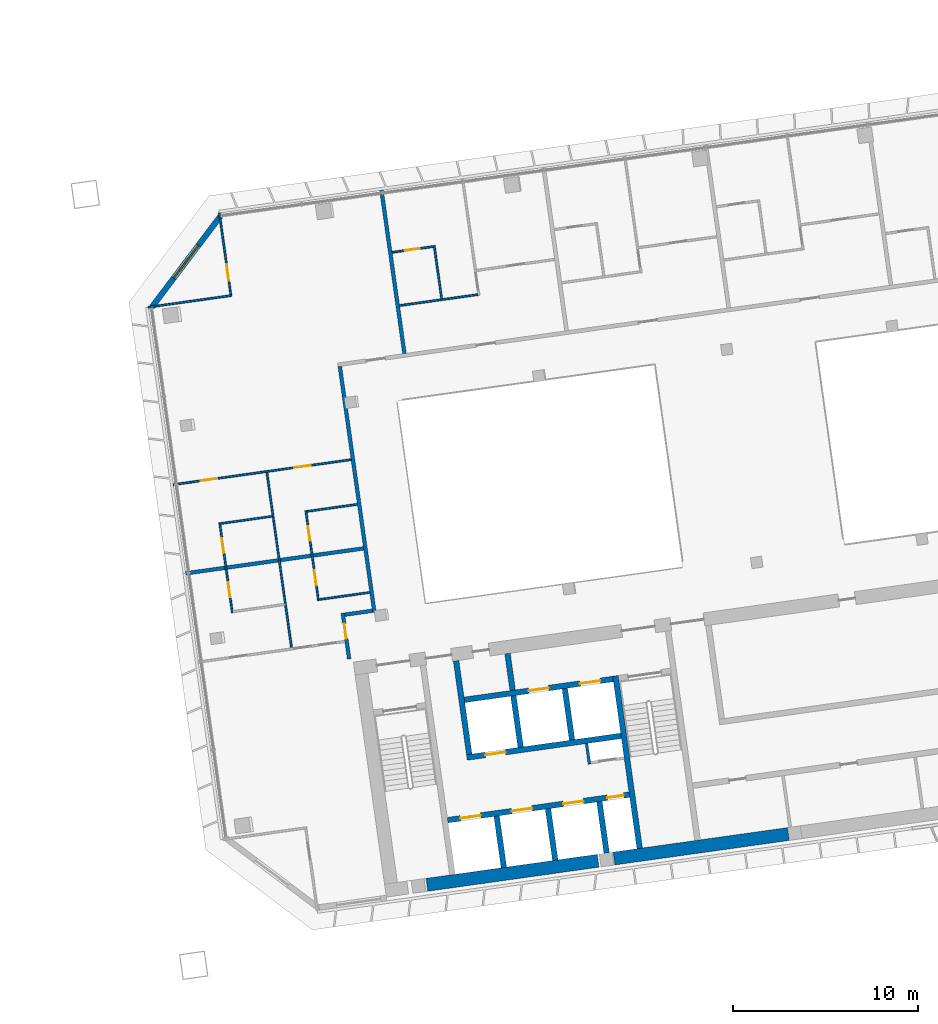
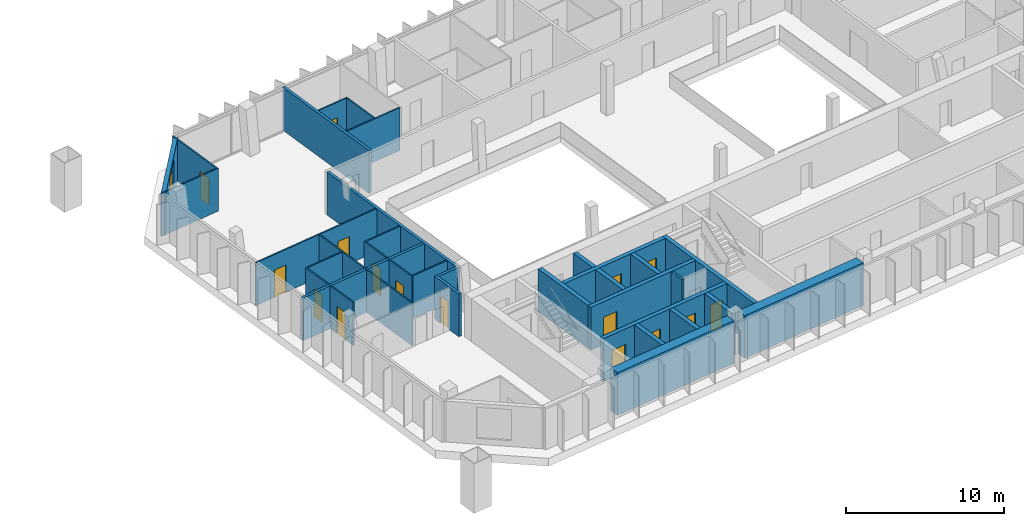
# One storey, part 20 of 29: 32 walls, 16 doors, 1 window, 17 openings.
"""IFC4 building model written with IfcOpenShell, lengths in metres."""

from ifc_helpers import new_model, si_unit, direction, frame, frame_2d, origin, place, context, subcontext, project, spatial, rectangle, extrude, material, layer, layer_set, type_object, element, fill, save


model = new_model("IFC4")

# Units and contexts
model_context = context("Model", 3, precision=1e-05, world=origin(), true_north=direction((0.0, 1.0)))
body_context = subcontext(model_context, "Body", "Model", "MODEL_VIEW")
ifc_project = project(units=[si_unit("LENGTHUNIT", "METRE"), si_unit("AREAUNIT", "SQUARE_METRE"), si_unit("VOLUMEUNIT", "CUBIC_METRE"), si_unit("PLANEANGLEUNIT", "RADIAN"), si_unit("MASSUNIT", "GRAM", prefix="KILO")], contexts=[model_context])

# Site, building, storey
site_placement = place(None, origin())
site = spatial("IfcSite", under=ifc_project, at=site_placement, CompositionType="ELEMENT")
building_placement = place(site_placement, origin())
building = spatial("IfcBuilding", under=site, at=building_placement, Name="Mirante Cascada Hotel Towers", CompositionType="ELEMENT")
storey_placement = place(building_placement, frame((0.0, 0.0, 206.8)))
storey = spatial("IfcBuildingStorey", under=building, at=storey_placement, Name="L49", CompositionType="ELEMENT", Elevation=206.8)

# Walls
ifc_material_1 = material(Name="Fire-rated plasterboard on metal studs")
ifc_layer_1 = layer(ifc_material_1, 0.2)
ifc_layer_set_1 = layer_set([ifc_layer_1], Name="Compartment wall 200 EI 120")
wall_type_1 = type_object("IfcWallType", Name="Compartment wall 200 EI 120", PredefinedType="PARTITIONING", material=ifc_layer_set_1)
wall_1_placement = place(storey_placement, frame((36.5138, -4.518, 0.0), z_axis=(0.0, 0.0, 1.0), x_axis=(-0.9902735, -0.1391343, 0.0)))
element("IfcWall", 1, at=wall_1_placement, inside=storey, type_object=wall_type_1, Name="Wall 2-L49-03", PredefinedType="PARTITIONING", context=body_context, shape_type="SweptSolid", body=[
    extrude(rectangle(XDim=1.5, YDim=0.2, at=frame_2d((0.75, 0.0))), origin(), (0.0, 0.0, 1.0), 3.3),
])
wall_2_placement = place(storey_placement, frame((26.4482, -2.4992, 0.0), z_axis=(0.0, 0.0, 1.0), x_axis=(0.990267, 0.1391808, 0.0)))
element("IfcWall", 2, at=wall_2_placement, inside=storey, type_object=wall_type_1, Name="Wall 2-L49-08", PredefinedType="PARTITIONING", context=body_context, shape_type="SweptSolid", body=[
    extrude(rectangle(XDim=9.6867, YDim=0.2, at=frame_2d((4.8434, 0.0))), origin(), (0.0, 0.0, 1.0), 3.3),
])

# Wall, opening, door
wall_3_placement = place(storey_placement, frame((35.2634, -7.1173, 0.0), z_axis=(0.0, 0.0, 1.0), x_axis=(-0.1391586, 0.9902701, 0.0)))
wall_3 = element("IfcWall", 3, at=wall_3_placement, inside=storey, type_object=wall_type_1, Name="Wall 2-L49-32", PredefinedType="PARTITIONING", context=body_context, shape_type="SweptSolid", body=[
    extrude(rectangle(XDim=2.5, YDim=0.2, at=frame_2d((1.25, 0.0))), origin(), (0.0, 0.0, 1.0), 3.3),
])
opening_1_placement = place(wall_3_placement, frame((1.1167, 0.0, 0.0)))
opening_1 = element("IfcOpeningElement", 4, at=opening_1_placement, cuts=wall_3, Name="Opening D2-L49-25", PredefinedType="OPENING", context=body_context, shape_type="SweptSolid", body=[
    extrude(rectangle(XDim=0.8, YDim=2.1, at=frame_2d((0.4, 1.05))), frame((0.0, 0.1, 0.0), z_axis=(0.0, -1.0, 0.0), x_axis=(1.0, 0.0, 0.0)), (0.0, 0.0, 1.0), 0.2),
])
ifc_material_2 = material(Name="Fire-rated timber door leaf", Category="wood")
door_type_1 = type_object("IfcDoorType", Name="Bathroom door DG4 800x2100 EI 60", OperationType="SINGLE_SWING_LEFT", PredefinedType="DOOR", material=ifc_material_2)
door_1_placement = place(opening_1_placement, frame((0.8, 0.0, 0.0), z_axis=(0.0, 0.0, 1.0), x_axis=(-1.0, 0.0, 0.0)))
door_1 = element("IfcDoor", 5, at=door_1_placement, inside=storey, type_object=door_type_1, Name="Door D2-L49-25", OperationType="SINGLE_SWING_RIGHT", OverallHeight=2.1, OverallWidth=0.8, PredefinedType="DOOR", context=body_context, shape_type="SweptSolid", body=[
    extrude(rectangle(XDim=0.8, YDim=2.1, at=frame_2d((0.4, 1.05))), frame((0.0, 0.025, 0.0), z_axis=(0.0, -1.0, 0.0), x_axis=(1.0, 0.0, 0.0)), (0.0, 0.0, 1.0), 0.05),
])
fill(opening_1, door_1)

# Walls
wall_4_placement = place(storey_placement, frame((34.7618, 8.6665, 0.0), z_axis=(0.0, 0.0, 1.0), x_axis=(0.1391789, -0.9902673, 0.0)))
element("IfcWall", 6, at=wall_4_placement, inside=storey, type_object=wall_type_1, Name="Wall 2-L49-33", PredefinedType="PARTITIONING", context=body_context, shape_type="SweptSolid", body=[
    extrude(rectangle(XDim=13.4, YDim=0.2, at=frame_2d((6.7, 0.0))), origin(), (0.0, 0.0, 1.0), 3.3),
])
wall_5_placement = place(storey_placement, frame((38.2468, 9.3583, 0.0), z_axis=(0.0, 0.0, 1.0), x_axis=(-0.1391684, 0.9902687, 0.0)))
element("IfcWall", 7, at=wall_5_placement, inside=storey, type_object=wall_type_1, Name="Wall 2-L49-34", PredefinedType="PARTITIONING", context=body_context, shape_type="SweptSolid", body=[
    extrude(rectangle(XDim=8.9, YDim=0.2, at=frame_2d((4.45, 0.0))), origin(), (0.0, 0.0, 1.0), 3.3),
])
ifc_material_3 = material(Name="Masonry block", Category="masonry")
ifc_layer_2 = layer(ifc_material_3, 0.15)
ifc_layer_set_2 = layer_set([ifc_layer_2], Name="Core room partition 150 block EI 30")
wall_type_2 = type_object("IfcWallType", Name="Core room partition 150 block EI 30", PredefinedType="PARTITIONING", material=ifc_layer_set_2)
wall_6_placement = place(storey_placement, frame((48.2295, -12.793, 0.0), z_axis=(0.0, 0.0, 1.0), x_axis=(-0.1391935, 0.9902652, 0.0)))
element("IfcWall", 8, at=wall_6_placement, inside=storey, type_object=wall_type_2, Name="Core wall partition T2 L49 2", PredefinedType="PARTITIONING", context=body_context, shape_type="SweptSolid", body=[
    extrude(rectangle(XDim=1.1251, YDim=0.15, at=frame_2d((0.5626, 0.0))), origin(), (0.0, 0.0, 1.0), 3.3),
])
ifc_material_4 = material(Name="Masonry block", Category="masonry")
ifc_layer_3 = layer(ifc_material_4, 0.3)
ifc_layer_set_3 = layer_set([ifc_layer_3], Name="Core wall 300 block EI 120")
wall_type_3 = type_object("IfcWallType", Name="Core wall 300 block EI 120", PredefinedType="PARTITIONING", material=ifc_layer_set_3)
wall_7_placement = place(storey_placement, frame((44.0843, -8.8061, 0.0), z_axis=(0.0, 0.0, 1.0), x_axis=(-0.1391951, 0.990265, 0.0)))
element("IfcWall", 9, at=wall_7_placement, inside=storey, type_object=wall_type_3, Name="Core wall partition T2 L49 1", PredefinedType="PARTITIONING", context=body_context, shape_type="SweptSolid", body=[
    extrude(rectangle(XDim=2.0001, YDim=0.3, at=frame_2d((1.0001, 0.0))), origin(), (0.0, 0.0, 1.0), 3.3),
])
ifc_material_5 = material(Name="Plasterboard on metal studs")
ifc_layer_4 = layer(ifc_material_5, 0.1)
ifc_layer_set_4 = layer_set([ifc_layer_4], Name="Partition 100")
wall_type_4 = type_object("IfcWallType", Name="Partition 100", PredefinedType="PARTITIONING", material=ifc_layer_set_4)
wall_8_placement = place(storey_placement, frame((36.3747, -3.5277, 0.0), z_axis=(0.0, 0.0, 1.0), x_axis=(-0.9902698, -0.1391607, 0.0)))
element("IfcWall", 10, at=wall_8_placement, inside=storey, type_object=wall_type_4, Name="Wall 2-L49-07", PredefinedType="PARTITIONING", context=body_context, shape_type="SweptSolid", body=[
    extrude(rectangle(XDim=2.7501, YDim=0.1, at=frame_2d((1.3751, 0.0))), origin(), (0.0, 0.0, 1.0), 3.3),
])
wall_9_placement = place(storey_placement, frame((28.3358, 0.1897, 0.0), z_axis=(0.0, 0.0, 1.0), x_axis=(0.990267, 0.139181, 0.0)))
element("IfcWall", 11, at=wall_9_placement, inside=storey, type_object=wall_type_4, Name="Wall 2-L49-10", PredefinedType="PARTITIONING", context=body_context, shape_type="SweptSolid", body=[
    extrude(rectangle(XDim=2.8, YDim=0.1, at=frame_2d((1.4, 0.0))), origin(), (0.0, 0.0, 1.0), 3.3),
])
wall_10_placement = place(storey_placement, frame((35.7066, 1.2256, 0.0), z_axis=(0.0, 0.0, 1.0), x_axis=(-0.9902691, -0.1391657, 0.0)))
element("IfcWall", 12, at=wall_10_placement, inside=storey, type_object=wall_type_4, Name="Wall 2-L49-11", PredefinedType="PARTITIONING", context=body_context, shape_type="SweptSolid", body=[
    extrude(rectangle(XDim=2.75, YDim=0.1, at=frame_2d((1.375, 0.0))), origin(), (0.0, 0.0, 1.0), 3.3),
])

# Wall, openings, doors
wall_11_placement = place(storey_placement, frame((25.7755, 2.2871, 0.0), z_axis=(0.0, 0.0, 1.0), x_axis=(0.9902686, 0.1391693, 0.0)))
wall_11 = element("IfcWall", 13, at=wall_11_placement, inside=storey, type_object=wall_type_4, Name="Wall 2-L49-12", PredefinedType="PARTITIONING", context=body_context, shape_type="SweptSolid", body=[
    extrude(rectangle(XDim=9.6868, YDim=0.1, at=frame_2d((4.8434, 0.0))), origin(), (0.0, 0.0, 1.0), 3.3),
])
opening_2_placement = place(wall_11_placement, frame((1.4967, 0.0, 0.0)))
opening_2 = element("IfcOpeningElement", 14, at=opening_2_placement, cuts=wall_11, Name="Opening D2-L49-05", PredefinedType="OPENING", context=body_context, shape_type="SweptSolid", body=[
    extrude(rectangle(XDim=0.9, YDim=2.1, at=frame_2d((0.45, 1.05))), frame((0.0, 0.05, 0.0), z_axis=(0.0, -1.0, 0.0), x_axis=(1.0, 0.0, 0.0)), (0.0, 0.0, 1.0), 0.1),
])
opening_3_placement = place(wall_11_placement, frame((6.59, 0.0, 0.0)))
opening_3 = element("IfcOpeningElement", 15, at=opening_3_placement, cuts=wall_11, Name="Opening D2-L49-06", PredefinedType="OPENING", context=body_context, shape_type="SweptSolid", body=[
    extrude(rectangle(XDim=0.9, YDim=2.1, at=frame_2d((0.45, 1.05))), frame((0.0, 0.05, 0.0), z_axis=(0.0, -1.0, 0.0), x_axis=(1.0, 0.0, 0.0)), (0.0, 0.0, 1.0), 0.1),
])
ifc_material_6 = material(Name="Timber door leaf", Category="wood")
door_type_2 = type_object("IfcDoorType", Name="Room door DG3 900x2100", OperationType="SINGLE_SWING_LEFT", PredefinedType="DOOR", material=ifc_material_6)
door_2_placement = place(opening_2_placement, origin())
door_2 = element("IfcDoor", 16, at=door_2_placement, inside=storey, type_object=door_type_2, Name="Door D2-L49-05", OperationType="SINGLE_SWING_LEFT", OverallHeight=2.1, OverallWidth=0.9, PredefinedType="DOOR", context=body_context, shape_type="SweptSolid", body=[
    extrude(rectangle(XDim=0.9, YDim=2.1, at=frame_2d((0.45, 1.05))), frame((0.0, 0.025, 0.0), z_axis=(0.0, -1.0, 0.0), x_axis=(1.0, 0.0, 0.0)), (0.0, 0.0, 1.0), 0.05),
])
fill(opening_2, door_2)
door_3_placement = place(opening_3_placement, origin())
door_3 = element("IfcDoor", 17, at=door_3_placement, inside=storey, type_object=door_type_2, Name="Door D2-L49-06", OperationType="SINGLE_SWING_LEFT", OverallHeight=2.1, OverallWidth=0.9, PredefinedType="DOOR", context=body_context, shape_type="SweptSolid", body=[
    extrude(rectangle(XDim=0.9, YDim=2.1, at=frame_2d((0.45, 1.05))), frame((0.0, 0.025, 0.0), z_axis=(0.0, -1.0, 0.0), x_axis=(1.0, 0.0, 0.0)), (0.0, 0.0, 1.0), 0.05),
])
fill(opening_3, door_3)

# Walls
wall_12_placement = place(storey_placement, frame((37.984, 11.9469, 0.0), z_axis=(0.0, 0.0, 1.0), x_axis=(0.9902689, 0.1391669, 0.0)))
element("IfcWall", 18, at=wall_12_placement, inside=storey, type_object=wall_type_4, Name="Wall 2-L49-16", PredefinedType="PARTITIONING", context=body_context, shape_type="SweptSolid", body=[
    extrude(rectangle(XDim=4.2668, YDim=0.1, at=frame_2d((2.1334, 0.0))), origin(), (0.0, 0.0, 1.0), 3.3),
])
wall_13_placement = place(storey_placement, frame((28.9359, 12.493, 0.0), z_axis=(0.0, 0.0, 1.0), x_axis=(-0.9902661, -0.1391871, 0.0)))
element("IfcWall", 19, at=wall_13_placement, inside=storey, type_object=wall_type_4, Name="Wall 2-L49-23", PredefinedType="PARTITIONING", context=body_context, shape_type="SweptSolid", body=[
    extrude(rectangle(XDim=4.55, YDim=0.1, at=frame_2d((2.275, 0.0))), origin(), (0.0, 0.0, 1.0), 3.3),
])

# Wall, opening, door
wall_14_placement = place(storey_placement, frame((37.5804, 14.8187, 0.0), z_axis=(0.0, 0.0, 1.0), x_axis=(0.9902705, 0.1391561, 0.0)))
wall_14 = element("IfcWall", 20, at=wall_14_placement, inside=storey, type_object=wall_type_4, Name="Wall 2-L49-24", PredefinedType="PARTITIONING", context=body_context, shape_type="SweptSolid", body=[
    extrude(rectangle(XDim=2.25, YDim=0.1, at=frame_2d((1.125, 0.0))), origin(), (0.0, 0.0, 1.0), 3.3),
])
opening_4_placement = place(wall_14_placement, frame((0.7, 0.0, 0.0)))
opening_4 = element("IfcOpeningElement", 21, at=opening_4_placement, cuts=wall_14, Name="Opening D2-L49-16", PredefinedType="OPENING", context=body_context, shape_type="SweptSolid", body=[
    extrude(rectangle(XDim=0.8, YDim=2.1, at=frame_2d((0.4, 1.05))), frame((0.0, 0.05, 0.0), z_axis=(0.0, -1.0, 0.0), x_axis=(1.0, 0.0, 0.0)), (0.0, 0.0, 1.0), 0.1),
])
ifc_material_7 = material(Name="Timber door leaf", Category="wood")
door_type_3 = type_object("IfcDoorType", Name="Bathroom door DG4 800x2100", OperationType="SINGLE_SWING_LEFT", PredefinedType="DOOR", material=ifc_material_7)
door_4_placement = place(opening_4_placement, origin())
door_4 = element("IfcDoor", 22, at=door_4_placement, inside=storey, type_object=door_type_3, Name="Door D2-L49-16", OperationType="SINGLE_SWING_LEFT", OverallHeight=2.1, OverallWidth=0.8, PredefinedType="DOOR", context=body_context, shape_type="SweptSolid", body=[
    extrude(rectangle(XDim=0.8, YDim=2.1, at=frame_2d((0.4, 1.05))), frame((0.0, 0.025, 0.0), z_axis=(0.0, -1.0, 0.0), x_axis=(1.0, 0.0, 0.0)), (0.0, 0.0, 1.0), 0.05),
])
fill(opening_4, door_4)

# Wall, openings, doors
wall_15_placement = place(storey_placement, frame((28.2793, 0.2322, 0.0), z_axis=(0.0, 0.0, 1.0), x_axis=(0.1391638, -0.9902694, 0.0)))
wall_15 = element("IfcWall", 23, at=wall_15_placement, inside=storey, type_object=wall_type_4, Name="Wall 2-L49-27", PredefinedType="PARTITIONING", context=body_context, shape_type="SweptSolid", body=[
    extrude(rectangle(XDim=4.9, YDim=0.1, at=frame_2d((2.45, 0.0))), origin(), (0.0, 0.0, 1.0), 3.3),
])
opening_5_placement = place(wall_15_placement, frame((3.25, 0.0, 0.0)))
opening_5 = element("IfcOpeningElement", 24, at=opening_5_placement, cuts=wall_15, Name="Opening D2-L49-19", PredefinedType="OPENING", context=body_context, shape_type="SweptSolid", body=[
    extrude(rectangle(XDim=0.8, YDim=2.1, at=frame_2d((0.4, 1.05))), frame((0.0, 0.05, 0.0), z_axis=(0.0, -1.0, 0.0), x_axis=(1.0, 0.0, 0.0)), (0.0, 0.0, 1.0), 0.1),
])
opening_6_placement = place(wall_15_placement, frame((0.85, 0.0, 0.0)))
opening_6 = element("IfcOpeningElement", 25, at=opening_6_placement, cuts=wall_15, Name="Opening D2-L49-20", PredefinedType="OPENING", context=body_context, shape_type="SweptSolid", body=[
    extrude(rectangle(XDim=0.8, YDim=2.1, at=frame_2d((0.4, 1.05))), frame((0.0, 0.05, 0.0), z_axis=(0.0, -1.0, 0.0), x_axis=(1.0, 0.0, 0.0)), (0.0, 0.0, 1.0), 0.1),
])
door_5_placement = place(opening_5_placement, origin())
door_5 = element("IfcDoor", 26, at=door_5_placement, inside=storey, type_object=door_type_3, Name="Door D2-L49-19", OperationType="SINGLE_SWING_LEFT", OverallHeight=2.1, OverallWidth=0.8, PredefinedType="DOOR", context=body_context, shape_type="SweptSolid", body=[
    extrude(rectangle(XDim=0.8, YDim=2.1, at=frame_2d((0.4, 1.05))), frame((0.0, 0.025, 0.0), z_axis=(0.0, -1.0, 0.0), x_axis=(1.0, 0.0, 0.0)), (0.0, 0.0, 1.0), 0.05),
])
fill(opening_5, door_5)
door_6_placement = place(opening_6_placement, origin())
door_6 = element("IfcDoor", 27, at=door_6_placement, inside=storey, type_object=door_type_3, Name="Door D2-L49-20", OperationType="SINGLE_SWING_LEFT", OverallHeight=2.1, OverallWidth=0.8, PredefinedType="DOOR", context=body_context, shape_type="SweptSolid", body=[
    extrude(rectangle(XDim=0.8, YDim=2.1, at=frame_2d((0.4, 1.05))), frame((0.0, 0.025, 0.0), z_axis=(0.0, -1.0, 0.0), x_axis=(1.0, 0.0, 0.0)), (0.0, 0.0, 1.0), 0.05),
])
fill(opening_6, door_6)

# Wall, opening, door
wall_16_placement = place(storey_placement, frame((28.2601, 16.9422, 0.0), z_axis=(0.0, 0.0, 1.0), x_axis=(0.1391684, -0.9902687, 0.0)))
wall_16 = element("IfcWall", 28, at=wall_16_placement, inside=storey, type_object=wall_type_4, Name="Wall 2-L49-29", PredefinedType="PARTITIONING", context=body_context, shape_type="SweptSolid", body=[
    extrude(rectangle(XDim=4.45, YDim=0.1, at=frame_2d((2.225, 0.0))), origin(), (0.0, 0.0, 1.0), 3.3),
])
opening_7_placement = place(wall_16_placement, frame((2.8, 0.0, 0.0)))
opening_7 = element("IfcOpeningElement", 29, at=opening_7_placement, cuts=wall_16, Name="Opening D2-L49-22", PredefinedType="OPENING", context=body_context, shape_type="SweptSolid", body=[
    extrude(rectangle(XDim=0.9, YDim=2.1, at=frame_2d((0.45, 1.05))), frame((0.0, 0.05, 0.0), z_axis=(0.0, -1.0, 0.0), x_axis=(1.0, 0.0, 0.0)), (0.0, 0.0, 1.0), 0.1),
])
door_7_placement = place(opening_7_placement, origin())
door_7 = element("IfcDoor", 30, at=door_7_placement, inside=storey, type_object=door_type_2, Name="Door D2-L49-22", OperationType="SINGLE_SWING_LEFT", OverallHeight=2.1, OverallWidth=0.9, PredefinedType="DOOR", context=body_context, shape_type="SweptSolid", body=[
    extrude(rectangle(XDim=0.9, YDim=2.1, at=frame_2d((0.45, 1.05))), frame((0.0, 0.025, 0.0), z_axis=(0.0, -1.0, 0.0), x_axis=(1.0, 0.0, 0.0)), (0.0, 0.0, 1.0), 0.05),
])
fill(opening_7, door_7)

# Wall
wall_17_placement = place(storey_placement, frame((32.1577, -6.5271, 0.0), z_axis=(0.0, 0.0, 1.0), x_axis=(-0.1391717, 0.9902683, 0.0)))
element("IfcWall", 31, at=wall_17_placement, inside=storey, type_object=wall_type_4, Name="Wall 2-L49-30", PredefinedType="PARTITIONING", context=body_context, shape_type="SweptSolid", body=[
    extrude(rectangle(XDim=9.5666, YDim=0.1, at=frame_2d((4.7833, 0.0))), origin(), (0.0, 0.0, 1.0), 3.3),
])

# Wall, openings, doors
wall_18_placement = place(storey_placement, frame((32.9269, 0.8854, 0.0), z_axis=(0.0, 0.0, 1.0), x_axis=(0.1391838, -0.9902666, 0.0)))
wall_18 = element("IfcWall", 32, at=wall_18_placement, inside=storey, type_object=wall_type_4, Name="Wall 2-L49-31", PredefinedType="PARTITIONING", context=body_context, shape_type="SweptSolid", body=[
    extrude(rectangle(XDim=4.9, YDim=0.1, at=frame_2d((2.45, 0.0))), origin(), (0.0, 0.0, 1.0), 3.3),
])
opening_8_placement = place(wall_18_placement, frame((3.25, 0.0, 0.0)))
opening_8 = element("IfcOpeningElement", 33, at=opening_8_placement, cuts=wall_18, Name="Opening D2-L49-23", PredefinedType="OPENING", context=body_context, shape_type="SweptSolid", body=[
    extrude(rectangle(XDim=0.8, YDim=2.1, at=frame_2d((0.4, 1.05))), frame((0.0, 0.05, 0.0), z_axis=(0.0, -1.0, 0.0), x_axis=(1.0, 0.0, 0.0)), (0.0, 0.0, 1.0), 0.1),
])
opening_9_placement = place(wall_18_placement, frame((0.85, 0.0, 0.0)))
opening_9 = element("IfcOpeningElement", 34, at=opening_9_placement, cuts=wall_18, Name="Opening D2-L49-24", PredefinedType="OPENING", context=body_context, shape_type="SweptSolid", body=[
    extrude(rectangle(XDim=0.8, YDim=2.1, at=frame_2d((0.4, 1.05))), frame((0.0, 0.05, 0.0), z_axis=(0.0, -1.0, 0.0), x_axis=(1.0, 0.0, 0.0)), (0.0, 0.0, 1.0), 0.1),
])
door_8_placement = place(opening_8_placement, origin())
door_8 = element("IfcDoor", 35, at=door_8_placement, inside=storey, type_object=door_type_3, Name="Door D2-L49-23", OperationType="SINGLE_SWING_LEFT", OverallHeight=2.1, OverallWidth=0.8, PredefinedType="DOOR", context=body_context, shape_type="SweptSolid", body=[
    extrude(rectangle(XDim=0.8, YDim=2.1, at=frame_2d((0.4, 1.05))), frame((0.0, 0.025, 0.0), z_axis=(0.0, -1.0, 0.0), x_axis=(1.0, 0.0, 0.0)), (0.0, 0.0, 1.0), 0.05),
])
fill(opening_8, door_8)
door_9_placement = place(opening_9_placement, origin())
door_9 = element("IfcDoor", 36, at=door_9_placement, inside=storey, type_object=door_type_3, Name="Door D2-L49-24", OperationType="SINGLE_SWING_LEFT", OverallHeight=2.1, OverallWidth=0.8, PredefinedType="DOOR", context=body_context, shape_type="SweptSolid", body=[
    extrude(rectangle(XDim=0.8, YDim=2.1, at=frame_2d((0.4, 1.05))), frame((0.0, 0.025, 0.0), z_axis=(0.0, -1.0, 0.0), x_axis=(1.0, 0.0, 0.0)), (0.0, 0.0, 1.0), 0.05),
])
fill(opening_9, door_9)

# Wall
wall_19_placement = place(storey_placement, frame((39.851, 15.1883, 0.0), z_axis=(0.0, 0.0, 1.0), x_axis=(0.1391714, -0.9902683, 0.0)))
element("IfcWall", 37, at=wall_19_placement, inside=storey, type_object=wall_type_4, Name="Wall 2-L49-35", PredefinedType="PARTITIONING", context=body_context, shape_type="SweptSolid", body=[
    extrude(rectangle(XDim=2.9, YDim=0.1, at=frame_2d((1.45, 0.0))), origin(), (0.0, 0.0, 1.0), 3.3),
])

# Wall, opening, window
ifc_material_8 = material(Name="Precast concrete C40/50", Category="concrete")
ifc_layer_5 = layer(ifc_material_8, 0.3)
ifc_layer_set_5 = layer_set([ifc_layer_5], Name="Precast concrete C40/50 cladding wall 300")
wall_type_5 = type_object("IfcWallType", Name="Precast concrete C40/50 cladding wall 300", PredefinedType="STANDARD", material=ifc_layer_set_5)
wall_20_placement = place(storey_placement, frame((28.3053, 16.7528, 0.0), z_axis=(0.0, 0.0, 1.0), x_axis=(-0.6018245, -0.7986283, 0.0)))
wall_20 = element("IfcWall", 38, at=wall_20_placement, inside=storey, type_object=wall_type_5, Name="Corner cladding wall T2 L49 front inner", PredefinedType="STANDARD", context=body_context, shape_type="SweptSolid", body=[
    extrude(rectangle(XDim=6.1157, YDim=0.3, at=frame_2d((3.0578, 0.0))), origin(), (0.0, 0.0, 1.0), 3.3),
])
opening_10_placement = place(wall_20_placement, frame((1.9578, 0.0, 0.6)))
opening_10 = element("IfcOpeningElement", 39, at=opening_10_placement, cuts=wall_20, Name="Opening W2-49-04", PredefinedType="OPENING", context=body_context, shape_type="SweptSolid", body=[
    extrude(rectangle(XDim=2.2, YDim=2.4, at=frame_2d((1.1, 1.2))), frame((0.0, 0.15, 0.0), z_axis=(0.0, -1.0, 0.0), x_axis=(1.0, 0.0, 0.0)), (0.0, 0.0, 1.0), 0.3),
])
ifc_material_9 = material(Name="Aluminium frame with clear double glazing", Category="aluminium")
window_type = type_object("IfcWindowType", Name="Corner suite window 2200x2400", PartitioningType="DOUBLE_PANEL_VERTICAL", PredefinedType="WINDOW", material=ifc_material_9)
window_placement = place(opening_10_placement, origin())
window = element("IfcWindow", 40, at=window_placement, inside=storey, type_object=window_type, Name="Window W2-49-04", OverallHeight=2.4, OverallWidth=2.2, PartitioningType="SINGLE_PANEL", PredefinedType="WINDOW", context=body_context, shape_type="SweptSolid", body=[
    extrude(rectangle(XDim=2.2, YDim=2.4, at=frame_2d((1.1, 1.2))), frame((0.0, 0.03, 0.0), z_axis=(0.0, -1.0, 0.0), x_axis=(1.0, 0.0, 0.0)), (0.0, 0.0, 1.0), 0.06),
])
fill(opening_10, window)

# Wall
ifc_material_10 = material(Name="Concrete C50/60", Category="concrete")
ifc_layer_6 = layer(ifc_material_10, 0.3)
ifc_layer_set_6 = layer_set([ifc_layer_6], Name="RC core wall 300 C50/60")
wall_type_6 = type_object("IfcWallType", Name="RC core wall 300 C50/60", PredefinedType="SHEAR", material=ifc_layer_set_6)
wall_21_placement = place(storey_placement, frame((50.938, -17.3352, 0.0), z_axis=(0.0, 0.0, 1.0), x_axis=(-0.1391706, 0.9902684, 0.0)))
element("IfcWall", 41, at=wall_21_placement, inside=storey, type_object=wall_type_6, Name="Core wall T2:L49:6", PredefinedType="SHEAR", context=body_context, shape_type="SweptSolid", body=[
    extrude(rectangle(XDim=9.4, YDim=0.3, at=frame_2d((4.7, 0.0))), origin(), (0.0, 0.0, 1.0), 3.3),
])

# Wall, openings, doors
wall_22_placement = place(storey_placement, frame((40.5753, -15.8126, 0.0), z_axis=(0.0, 0.0, 1.0), x_axis=(0.9902682, 0.1391725, 0.0)))
wall_22 = element("IfcWall", 42, at=wall_22_placement, inside=storey, type_object=wall_type_6, Name="Core wall T2:L49:10", PredefinedType="SHEAR", context=body_context, shape_type="SweptSolid", body=[
    extrude(rectangle(XDim=9.8999, YDim=0.3, at=frame_2d((4.95, 0.0))), origin(), (0.0, 0.0, 1.0), 3.3),
])
opening_11_placement = place(wall_22_placement, frame((0.7, 0.0, 0.0)))
opening_11 = element("IfcOpeningElement", 43, at=opening_11_placement, cuts=wall_22, Name="Opening LD", PredefinedType="OPENING", context=body_context, shape_type="SweptSolid", body=[
    extrude(rectangle(XDim=1.1, YDim=2.1, at=frame_2d((0.55, 1.05))), frame((0.0, 0.15, 0.0), z_axis=(0.0, -1.0, 0.0), x_axis=(1.0, 0.0, 0.0)), (0.0, 0.0, 1.0), 0.3),
])
opening_12_placement = place(wall_22_placement, frame((3.5, 0.0, 0.0)))
opening_12 = element("IfcOpeningElement", 44, at=opening_12_placement, cuts=wall_22, Name="Opening LD", PredefinedType="OPENING", context=body_context, shape_type="SweptSolid", body=[
    extrude(rectangle(XDim=1.1, YDim=2.1, at=frame_2d((0.55, 1.05))), frame((0.0, 0.15, 0.0), z_axis=(0.0, -1.0, 0.0), x_axis=(1.0, 0.0, 0.0)), (0.0, 0.0, 1.0), 0.3),
])
opening_13_placement = place(wall_22_placement, frame((6.3, 0.0, 0.0)))
opening_13 = element("IfcOpeningElement", 45, at=opening_13_placement, cuts=wall_22, Name="Opening LD", PredefinedType="OPENING", context=body_context, shape_type="SweptSolid", body=[
    extrude(rectangle(XDim=1.1, YDim=2.1, at=frame_2d((0.55, 1.05))), frame((0.0, 0.15, 0.0), z_axis=(0.0, -1.0, 0.0), x_axis=(1.0, 0.0, 0.0)), (0.0, 0.0, 1.0), 0.3),
])
opening_14_placement = place(wall_22_placement, frame((8.7, 0.0, 0.0)))
opening_14 = element("IfcOpeningElement", 46, at=opening_14_placement, cuts=wall_22, Name="Opening D2-49-C14", PredefinedType="OPENING", context=body_context, shape_type="SweptSolid", body=[
    extrude(rectangle(XDim=0.9, YDim=2.1, at=frame_2d((0.45, 1.05))), frame((0.0, 0.15, 0.0), z_axis=(0.0, -1.0, 0.0), x_axis=(1.0, 0.0, 0.0)), (0.0, 0.0, 1.0), 0.3),
])
ifc_material_11 = material(Name="Hollow metal fire door leaf")
door_type_4 = type_object("IfcDoorType", Name="Fire door 900x2100 FD60", OperationType="NOTDEFINED", PredefinedType="DOOR", material=ifc_material_11)
door_10_placement = place(opening_14_placement, frame((0.9, 0.0, 0.0), z_axis=(0.0, 0.0, 1.0), x_axis=(-1.0, 0.0, 0.0)))
door_10 = element("IfcDoor", 47, at=door_10_placement, inside=storey, type_object=door_type_4, Name="Riser door T2 L49 14", OperationType="SINGLE_SWING_RIGHT", OverallHeight=2.1, OverallWidth=0.9, PredefinedType="DOOR", context=body_context, shape_type="SweptSolid", body=[
    extrude(rectangle(XDim=0.9, YDim=2.1, at=frame_2d((0.45, 1.05))), frame((0.0, 0.025, 0.0), z_axis=(0.0, -1.0, 0.0), x_axis=(1.0, 0.0, 0.0)), (0.0, 0.0, 1.0), 0.05),
])
fill(opening_14, door_10)
ifc_material_12 = material(Name="Stainless steel", Category="steel")
door_type_5 = type_object("IfcDoorType", Name="Lift landing door 1100x2100 EI 120", OperationType="DOUBLE_DOOR_SLIDING", PredefinedType="DOOR", material=ifc_material_12)
door_11_placement = place(opening_11_placement, origin())
door_11 = element("IfcDoor", 48, at=door_11_placement, inside=storey, type_object=door_type_5, Name="Lift landing door HR2-1 L49", OperationType="DOUBLE_DOOR_SLIDING", OverallHeight=2.1, OverallWidth=1.1, PredefinedType="DOOR", context=body_context, shape_type="SweptSolid", body=[
    extrude(rectangle(XDim=0.545, YDim=2.1, at=frame_2d((0.2725, 1.05))), frame((0.0, 0.025, 0.0), z_axis=(0.0, -1.0, 0.0), x_axis=(1.0, 0.0, 0.0)), (0.0, 0.0, 1.0), 0.05),
    extrude(rectangle(XDim=0.545, YDim=2.1, at=frame_2d((0.8275, 1.05))), frame((0.0, 0.025, 0.0), z_axis=(0.0, -1.0, 0.0), x_axis=(1.0, 0.0, 0.0)), (0.0, 0.0, 1.0), 0.05),
])
fill(opening_11, door_11)
door_12_placement = place(opening_12_placement, origin())
door_12 = element("IfcDoor", 49, at=door_12_placement, inside=storey, type_object=door_type_5, Name="Lift landing door HR2-2 L49", OperationType="DOUBLE_DOOR_SLIDING", OverallHeight=2.1, OverallWidth=1.1, PredefinedType="DOOR", context=body_context, shape_type="SweptSolid", body=[
    extrude(rectangle(XDim=0.545, YDim=2.1, at=frame_2d((0.2725, 1.05))), frame((0.0, 0.025, 0.0), z_axis=(0.0, -1.0, 0.0), x_axis=(1.0, 0.0, 0.0)), (0.0, 0.0, 1.0), 0.05),
    extrude(rectangle(XDim=0.545, YDim=2.1, at=frame_2d((0.8275, 1.05))), frame((0.0, 0.025, 0.0), z_axis=(0.0, -1.0, 0.0), x_axis=(1.0, 0.0, 0.0)), (0.0, 0.0, 1.0), 0.05),
])
fill(opening_12, door_12)
door_13_placement = place(opening_13_placement, origin())
door_13 = element("IfcDoor", 50, at=door_13_placement, inside=storey, type_object=door_type_5, Name="Lift landing door HR2-3 L49", OperationType="DOUBLE_DOOR_SLIDING", OverallHeight=2.1, OverallWidth=1.1, PredefinedType="DOOR", context=body_context, shape_type="SweptSolid", body=[
    extrude(rectangle(XDim=0.545, YDim=2.1, at=frame_2d((0.2725, 1.05))), frame((0.0, 0.025, 0.0), z_axis=(0.0, -1.0, 0.0), x_axis=(1.0, 0.0, 0.0)), (0.0, 0.0, 1.0), 0.05),
    extrude(rectangle(XDim=0.545, YDim=2.1, at=frame_2d((0.8275, 1.05))), frame((0.0, 0.025, 0.0), z_axis=(0.0, -1.0, 0.0), x_axis=(1.0, 0.0, 0.0)), (0.0, 0.0, 1.0), 0.05),
])
fill(opening_13, door_13)

# Wall, opening, door
wall_23_placement = place(storey_placement, frame((41.6153, -12.435, 0.0), z_axis=(0.0, 0.0, 1.0), x_axis=(0.9902691, 0.139166, 0.0)))
wall_23 = element("IfcWall", 51, at=wall_23_placement, inside=storey, type_object=wall_type_6, Name="Core wall T2:L49:11", PredefinedType="SHEAR", context=body_context, shape_type="SweptSolid", body=[
    extrude(rectangle(XDim=8.4, YDim=0.3, at=frame_2d((4.2, 0.0))), origin(), (0.0, 0.0, 1.0), 3.3),
])
opening_15_placement = place(wall_23_placement, frame((1.0, 0.0, 0.0)))
opening_15 = element("IfcOpeningElement", 52, at=opening_15_placement, cuts=wall_23, Name="Opening LD", PredefinedType="OPENING", context=body_context, shape_type="SweptSolid", body=[
    extrude(rectangle(XDim=1.1, YDim=2.1, at=frame_2d((0.55, 1.05))), frame((0.0, 0.15, 0.0), z_axis=(0.0, -1.0, 0.0), x_axis=(1.0, 0.0, 0.0)), (0.0, 0.0, 1.0), 0.3),
])
door_14_placement = place(opening_15_placement, origin())
door_14 = element("IfcDoor", 53, at=door_14_placement, inside=storey, type_object=door_type_5, Name="Lift landing door HR2-4 L49", OperationType="DOUBLE_DOOR_SLIDING", OverallHeight=2.1, OverallWidth=1.1, PredefinedType="DOOR", context=body_context, shape_type="SweptSolid", body=[
    extrude(rectangle(XDim=0.545, YDim=2.1, at=frame_2d((0.2725, 1.05))), frame((0.0, 0.025, 0.0), z_axis=(0.0, -1.0, 0.0), x_axis=(1.0, 0.0, 0.0)), (0.0, 0.0, 1.0), 0.05),
    extrude(rectangle(XDim=0.545, YDim=2.1, at=frame_2d((0.8275, 1.05))), frame((0.0, 0.025, 0.0), z_axis=(0.0, -1.0, 0.0), x_axis=(1.0, 0.0, 0.0)), (0.0, 0.0, 1.0), 0.05),
])
fill(opening_15, door_14)

# Wall, openings, doors
wall_24_placement = place(storey_placement, frame((41.481, -9.3234, 0.0), z_axis=(0.0, 0.0, 1.0), x_axis=(0.9902679, 0.1391741, 0.0)))
wall_24 = element("IfcWall", 54, at=wall_24_placement, inside=storey, type_object=wall_type_6, Name="Core wall T2:L49:12", PredefinedType="SHEAR", context=body_context, shape_type="SweptSolid", body=[
    extrude(rectangle(XDim=8.0999, YDim=0.3, at=frame_2d((4.05, 0.0))), origin(), (0.0, 0.0, 1.0), 3.3),
])
opening_16_placement = place(wall_24_placement, frame((3.5, 0.0, 0.0)))
opening_16 = element("IfcOpeningElement", 55, at=opening_16_placement, cuts=wall_24, Name="Opening LD", PredefinedType="OPENING", context=body_context, shape_type="SweptSolid", body=[
    extrude(rectangle(XDim=1.1, YDim=2.1, at=frame_2d((0.55, 1.05))), frame((0.0, 0.15, 0.0), z_axis=(0.0, -1.0, 0.0), x_axis=(1.0, 0.0, 0.0)), (0.0, 0.0, 1.0), 0.3),
])
opening_17_placement = place(wall_24_placement, frame((6.3, 0.0, 0.0)))
opening_17 = element("IfcOpeningElement", 56, at=opening_17_placement, cuts=wall_24, Name="Opening LD", PredefinedType="OPENING", context=body_context, shape_type="SweptSolid", body=[
    extrude(rectangle(XDim=1.1, YDim=2.1, at=frame_2d((0.55, 1.05))), frame((0.0, 0.15, 0.0), z_axis=(0.0, -1.0, 0.0), x_axis=(1.0, 0.0, 0.0)), (0.0, 0.0, 1.0), 0.3),
])
door_15_placement = place(opening_16_placement, origin())
door_15 = element("IfcDoor", 57, at=door_15_placement, inside=storey, type_object=door_type_5, Name="Lift landing door FF3 L49", OperationType="DOUBLE_DOOR_SLIDING", OverallHeight=2.1, OverallWidth=1.1, PredefinedType="DOOR", context=body_context, shape_type="SweptSolid", body=[
    extrude(rectangle(XDim=0.545, YDim=2.1, at=frame_2d((0.2725, 1.05))), frame((0.0, 0.025, 0.0), z_axis=(0.0, -1.0, 0.0), x_axis=(1.0, 0.0, 0.0)), (0.0, 0.0, 1.0), 0.05),
    extrude(rectangle(XDim=0.545, YDim=2.1, at=frame_2d((0.8275, 1.05))), frame((0.0, 0.025, 0.0), z_axis=(0.0, -1.0, 0.0), x_axis=(1.0, 0.0, 0.0)), (0.0, 0.0, 1.0), 0.05),
])
fill(opening_16, door_15)
door_16_placement = place(opening_17_placement, origin())
door_16 = element("IfcDoor", 58, at=door_16_placement, inside=storey, type_object=door_type_5, Name="Lift landing door FF4 L49", OperationType="DOUBLE_DOOR_SLIDING", OverallHeight=2.1, OverallWidth=1.1, PredefinedType="DOOR", context=body_context, shape_type="SweptSolid", body=[
    extrude(rectangle(XDim=0.545, YDim=2.1, at=frame_2d((0.2725, 1.05))), frame((0.0, 0.025, 0.0), z_axis=(0.0, -1.0, 0.0), x_axis=(1.0, 0.0, 0.0)), (0.0, 0.0, 1.0), 0.05),
    extrude(rectangle(XDim=0.545, YDim=2.1, at=frame_2d((0.8275, 1.05))), frame((0.0, 0.025, 0.0), z_axis=(0.0, -1.0, 0.0), x_axis=(1.0, 0.0, 0.0)), (0.0, 0.0, 1.0), 0.05),
])
fill(opening_17, door_16)

# Walls
wall_25_placement = place(storey_placement, frame((43.61, -18.3651, 0.0), z_axis=(0.0, 0.0, 1.0), x_axis=(-0.1391459, 0.9902719, 0.0)))
element("IfcWall", 59, at=wall_25_placement, inside=storey, type_object=wall_type_6, Name="Core wall T2:L49:13", PredefinedType="SHEAR", context=body_context, shape_type="SweptSolid", body=[
    extrude(rectangle(XDim=2.7999, YDim=0.3, at=frame_2d((1.4, 0.0))), origin(), (0.0, 0.0, 1.0), 3.3),
])
wall_26_placement = place(storey_placement, frame((46.3828, -17.9754, 0.0), z_axis=(0.0, 0.0, 1.0), x_axis=(-0.139181, 0.990267, 0.0)))
element("IfcWall", 60, at=wall_26_placement, inside=storey, type_object=wall_type_6, Name="Core wall T2:L49:14", PredefinedType="SHEAR", context=body_context, shape_type="SweptSolid", body=[
    extrude(rectangle(XDim=2.8, YDim=0.3, at=frame_2d((1.4, 0.0))), origin(), (0.0, 0.0, 1.0), 3.3),
])
wall_27_placement = place(storey_placement, frame((49.1555, -17.5857, 0.0), z_axis=(0.0, 0.0, 1.0), x_axis=(-0.1391459, 0.9902719, 0.0)))
element("IfcWall", 61, at=wall_27_placement, inside=storey, type_object=wall_type_6, Name="Core wall T2:L49:15", PredefinedType="SHEAR", context=body_context, shape_type="SweptSolid", body=[
    extrude(rectangle(XDim=2.7999, YDim=0.3, at=frame_2d((1.4, 0.0))), origin(), (0.0, 0.0, 1.0), 3.3),
])
for number, where, z_axis, x_axis, name in (
    (62, (44.5157, -11.8759, 0.0), (0.0, 0.0, 1.0), (-0.139181, 0.990267, 0.0), "Core wall T2:L49:16"),
    (63, (47.2885, -11.4862, 0.0), (0.0, 0.0, 1.0), (-0.139181, 0.990267, 0.0), "Core wall T2:L49:17"),
):
    element("IfcWall", number, at=place(storey_placement, frame(where, z_axis=z_axis, x_axis=x_axis)), inside=storey, type_object=wall_type_6, Name=name, PredefinedType="SHEAR", context=body_context, shape_type="SweptSolid", body=[
        extrude(rectangle(XDim=2.8, YDim=0.3, at=frame_2d((1.4, 0.0))), origin(), (0.0, 0.0, 1.0), 3.3),
    ])
wall_28_placement = place(storey_placement, frame((41.743, -12.2656, 0.0), z_axis=(0.0, 0.0, 1.0), x_axis=(-0.1391755, 0.9902677, 0.0)))
element("IfcWall", 64, at=wall_28_placement, inside=storey, type_object=wall_type_6, Name="Core wall T2:L49:18", PredefinedType="SHEAR", context=body_context, shape_type="SweptSolid", body=[
    extrude(rectangle(XDim=5.1, YDim=0.3, at=frame_2d((2.55, 0.0))), origin(), (0.0, 0.0, 1.0), 3.3),
])
ifc_material_13 = material(Name="Concrete C50/60", Category="concrete")
ifc_layer_7 = layer(ifc_material_13, 0.7)
ifc_layer_set_7 = layer_set([ifc_layer_7], Name="RC core wall 700 C50/60")
wall_type_7 = type_object("IfcWallType", Name="RC core wall 700 C50/60", PredefinedType="SHEAR", material=ifc_layer_set_7)
wall_29_placement = place(storey_placement, frame((39.4589, -19.302, 0.0), z_axis=(0.0, 0.0, 1.0), x_axis=(0.9902681, 0.139173, 0.0)))
element("IfcWall", 65, at=wall_29_placement, inside=storey, type_object=wall_type_7, Name="Core wall T2:L49:1.2", PredefinedType="SHEAR", context=body_context, shape_type="SweptSolid", body=[
    extrude(rectangle(XDim=9.3229, YDim=0.7, at=frame_2d((4.6614, 0.0))), origin(), (0.0, 0.0, 1.0), 3.3),
])
wall_30_placement = place(storey_placement, frame((49.5552, -17.883, 0.0), z_axis=(0.0, 0.0, 1.0), x_axis=(0.9902686, 0.1391696, 0.0)))
element("IfcWall", 66, at=wall_30_placement, inside=storey, type_object=wall_type_7, Name="Core wall T2:L49:1.3", PredefinedType="SHEAR", context=body_context, shape_type="SweptSolid", body=[
    extrude(rectangle(XDim=9.4956, YDim=0.7, at=frame_2d((4.7478, 0.0))), origin(), (0.0, 0.0, 1.0), 3.3),
])

save(model, "model.ifc")
